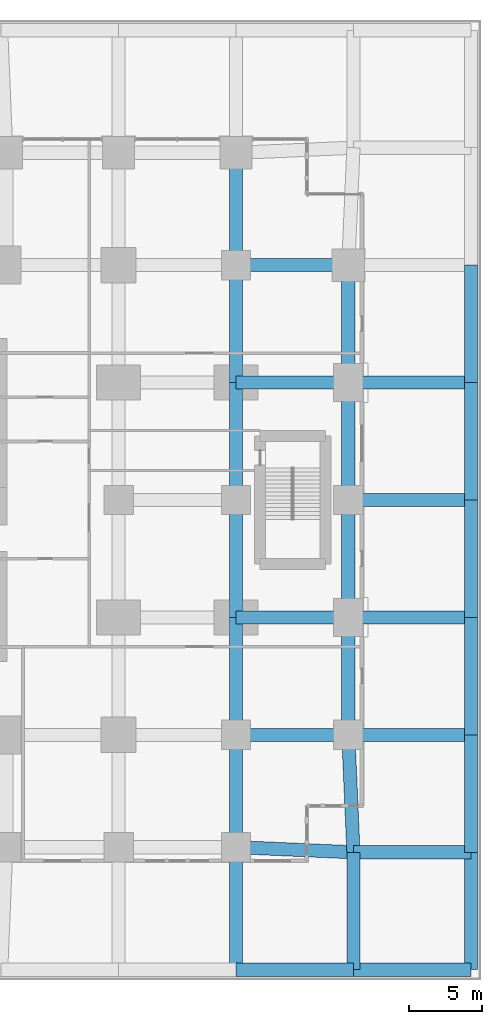
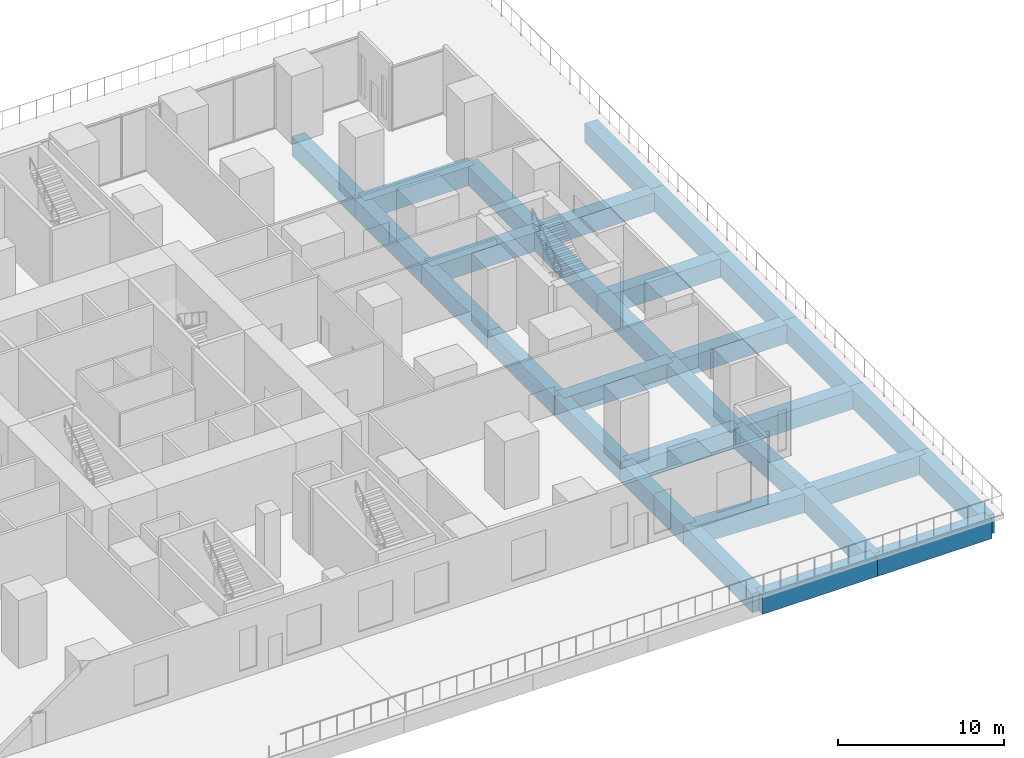
# One storey, part 4 of 16: 31 beams.
"""IFC4 building model written with IfcOpenShell, lengths in metres."""

from ifc_helpers import new_model, si_unit, direction, frame, origin, origin_2d, place, context, subcontext, project, spatial, rectangle, extrude, material, material_profile, profile_set, type_object, element, save


model = new_model("IFC4")

# Units and contexts
model_context = context("Model", 3, precision=1e-05, world=origin(), true_north=direction((0.0, 1.0)))
body_context = subcontext(model_context, "Body", "Model", "MODEL_VIEW")
ifc_project = project(units=[si_unit("LENGTHUNIT", "METRE"), si_unit("AREAUNIT", "SQUARE_METRE"), si_unit("VOLUMEUNIT", "CUBIC_METRE"), si_unit("PLANEANGLEUNIT", "RADIAN"), si_unit("MASSUNIT", "GRAM", prefix="KILO")], contexts=[model_context])

# Site, building, storey
site_placement = place(None, origin())
site = spatial("IfcSite", under=ifc_project, at=site_placement, CompositionType="ELEMENT")
building_placement = place(site_placement, origin())
building = spatial("IfcBuilding", under=site, at=building_placement, Name="Cleftline Residences", CompositionType="ELEMENT")
storey_placement = place(building_placement, frame((0.0, 0.0, 16.0)))
storey = spatial("IfcBuildingStorey", under=building, at=storey_placement, Name="L03", CompositionType="ELEMENT", Elevation=16.0)

# Beams
ifc_material = material(Name="Concrete B45", Category="concrete")
ifc_material_profile = material_profile(ifc_material, rectangle(XDim=0.89990234375, YDim=1.39990234375, at=origin_2d()))
ifc_profile_set = profile_set([ifc_material_profile], Name="Concrete B45")
beam_type = type_object("IfcBeamType", Name="BEAM RC900X1400", PredefinedType="BEAM", material=ifc_profile_set)
for number, where, z_axis, x_axis, name in (
    (1, (58.0, -8.0, -1.0), (1.0, 0.0, 0.0), (0.0, 1.0, 0.0), "Podium beam"),
    (2, (66.0, -8.0, -1.0), (1.0, 0.0, 0.0), (0.0, 1.0, 0.0), "Podium beam"),
):
    element("IfcBeam", number, at=place(storey_placement, frame(where, z_axis=z_axis, x_axis=x_axis)), inside=storey, type_object=beam_type, Name=name, PredefinedType="BEAM", context=body_context, shape_type="SweptSolid", body=[
        extrude(rectangle(XDim=0.89990234375, YDim=1.39990234375, at=origin_2d()), origin(), (0.0, 0.0, 1.0), 8.0),
    ])
beam_1_placement = place(storey_placement, frame((58.0, 0.35009765625, -1.0), z_axis=(0.999043807824, -0.043720361951, 0.0), x_axis=(0.043720361951, 0.999043807824, 0.0)))
element("IfcBeam", 3, at=beam_1_placement, inside=storey, type_object=beam_type, Name="Podium beam", PredefinedType="BEAM", context=body_context, shape_type="SweptSolid", body=[
    extrude(rectangle(XDim=0.89990234375, YDim=1.39990234375, at=origin_2d()), origin(), (0.0, 0.0, 1.0), 8.007568359375),
])
beam_2_placement = place(storey_placement, frame((66.0, 0.0, -1.0), z_axis=(1.0, 0.0, 0.0), x_axis=(0.0, 1.0, 0.0)))
element("IfcBeam", 4, at=beam_2_placement, inside=storey, type_object=beam_type, Name="Podium beam", PredefinedType="BEAM", context=body_context, shape_type="SweptSolid", body=[
    extrude(rectangle(XDim=0.89990234375, YDim=1.39990234375, at=origin_2d()), origin(), (0.0, 0.0, 1.0), 8.0),
])
beam_3_placement = place(storey_placement, frame((58.0, 8.0, -1.0), z_axis=(1.0, 0.0, 0.0), x_axis=(0.0, 1.0, 0.0)))
element("IfcBeam", 5, at=beam_3_placement, inside=storey, type_object=beam_type, Name="Podium beam", PredefinedType="BEAM", context=body_context, shape_type="SweptSolid", body=[
    extrude(rectangle(XDim=0.89990234375, YDim=1.39990234375, at=origin_2d()), origin(), (0.0, 0.0, 1.0), 7.64990234375),
])
beam_4_placement = place(storey_placement, frame((65.64990234375, 8.0, -1.0), z_axis=(1.0, 0.0, 0.0), x_axis=(0.0, 1.0, 0.0)))
element("IfcBeam", 6, at=beam_4_placement, inside=storey, type_object=beam_type, Name="Podium beam", PredefinedType="BEAM", context=body_context, shape_type="SweptSolid", body=[
    extrude(rectangle(XDim=0.89990234375, YDim=1.39990234375, at=origin_2d()), origin(), (0.0, 0.0, 1.0), 8.35009765625),
])
beam_5_placement = place(storey_placement, frame((58.0, 16.0, -1.0), z_axis=(1.0, 0.0, 0.0), x_axis=(0.0, 1.0, 0.0)))
element("IfcBeam", 7, at=beam_5_placement, inside=storey, type_object=beam_type, Name="Podium beam", PredefinedType="BEAM", context=body_context, shape_type="SweptSolid", body=[
    extrude(rectangle(XDim=0.89990234375, YDim=1.39990234375, at=origin_2d()), origin(), (0.0, 0.0, 1.0), 7.64990234375),
])
for number, where, z_axis, x_axis, name in (
    (8, (65.64990234375, 16.0, -1.0), (1.0, 0.0, 0.0), (0.0, 1.0, 0.0), "Podium beam"),
    (9, (65.64990234375, 24.0, -1.0), (1.0, 0.0, 0.0), (0.0, 1.0, 0.0), "Podium beam"),
):
    element("IfcBeam", number, at=place(storey_placement, frame(where, z_axis=z_axis, x_axis=x_axis)), inside=storey, type_object=beam_type, Name=name, PredefinedType="BEAM", context=body_context, shape_type="SweptSolid", body=[
        extrude(rectangle(XDim=0.89990234375, YDim=1.39990234375, at=origin_2d()), origin(), (0.0, 0.0, 1.0), 8.35009765625),
    ])
beam_6_placement = place(storey_placement, frame((58.0, 32.0, -1.0), z_axis=(1.0, 0.0, 0.0), x_axis=(0.0, 1.0, 0.0)))
element("IfcBeam", 10, at=beam_6_placement, inside=storey, type_object=beam_type, Name="Podium beam", PredefinedType="BEAM", context=body_context, shape_type="SweptSolid", body=[
    extrude(rectangle(XDim=0.89990234375, YDim=1.39990234375, at=origin_2d()), origin(), (0.0, 0.0, 1.0), 7.64990234375),
])
beam_7_placement = place(storey_placement, frame((65.64990234375, 32.0, -1.0), z_axis=(1.0, 0.0, 0.0), x_axis=(0.0, 1.0, 0.0)))
element("IfcBeam", 11, at=beam_7_placement, inside=storey, type_object=beam_type, Name="Podium beam", PredefinedType="BEAM", context=body_context, shape_type="SweptSolid", body=[
    extrude(rectangle(XDim=0.89990234375, YDim=1.39990234375, at=origin_2d()), origin(), (0.0, 0.0, 1.0), 8.35009765625),
])
beam_8_placement = place(storey_placement, frame((58.0, 40.0, -1.0), z_axis=(1.0, 0.0, 0.0), x_axis=(0.0, 1.0, 0.0)))
element("IfcBeam", 12, at=beam_8_placement, inside=storey, type_object=beam_type, Name="Podium beam", PredefinedType="BEAM", context=body_context, shape_type="SweptSolid", body=[
    extrude(rectangle(XDim=0.89990234375, YDim=1.39990234375, at=origin_2d()), origin(), (0.0, 0.0, 1.0), 7.64990234375),
])
beam_9_placement = place(storey_placement, frame((58.0, -8.0, -1.0), z_axis=(0.0, 1.0, 0.0), x_axis=(-1.0, 0.0, 0.0)))
element("IfcBeam", 13, at=beam_9_placement, inside=storey, type_object=beam_type, Name="Podium beam", PredefinedType="BEAM", context=body_context, shape_type="SweptSolid", body=[
    extrude(rectangle(XDim=0.89990234375, YDim=1.39990234375, at=origin_2d()), origin(), (0.0, 0.0, 1.0), 8.35009765625),
])
beam_10_placement = place(storey_placement, frame((58.0, 0.35009765625, -1.0), z_axis=(0.0, 1.0, 0.0), x_axis=(-1.0, 0.0, 0.0)))
element("IfcBeam", 14, at=beam_10_placement, inside=storey, type_object=beam_type, Name="Podium beam", PredefinedType="BEAM", context=body_context, shape_type="SweptSolid", body=[
    extrude(rectangle(XDim=0.89990234375, YDim=1.39990234375, at=origin_2d()), origin(), (0.0, 0.0, 1.0), 7.64990234375),
])
for number, where, z_axis, x_axis, name in (
    (15, (58.0, 8.0, -1.0), (0.0, 1.0, 0.0), (-1.0, 0.0, 0.0), "Podium beam"),
    (16, (58.0, 16.0, -1.0), (0.0, 1.0, 0.0), (-1.0, 0.0, 0.0), "Podium beam"),
    (17, (58.0, 24.0, -1.0), (0.0, 1.0, 0.0), (-1.0, 0.0, 0.0), "Podium beam"),
    (18, (58.0, 32.0, -1.0), (0.0, 1.0, 0.0), (-1.0, 0.0, 0.0), "Podium beam"),
):
    element("IfcBeam", number, at=place(storey_placement, frame(where, z_axis=z_axis, x_axis=x_axis)), inside=storey, type_object=beam_type, Name=name, PredefinedType="BEAM", context=body_context, shape_type="SweptSolid", body=[
        extrude(rectangle(XDim=0.89990234375, YDim=1.39990234375, at=origin_2d()), origin(), (0.0, 0.0, 1.0), 8.0),
    ])
beam_11_placement = place(storey_placement, frame((58.0, 40.0, -1.0), z_axis=(0.0, 1.0, 0.0), x_axis=(-1.0, 0.0, 0.0)))
element("IfcBeam", 19, at=beam_11_placement, inside=storey, type_object=beam_type, Name="Podium beam", PredefinedType="BEAM", context=body_context, shape_type="SweptSolid", body=[
    extrude(rectangle(XDim=0.89990234375, YDim=1.39990234375, at=origin_2d()), origin(), (0.0, 0.0, 1.0), 7.64990234375),
])
beam_12_placement = place(storey_placement, frame((66.0, -8.0, -1.0), z_axis=(0.0, 1.0, 0.0), x_axis=(-1.0, 0.0, 0.0)))
element("IfcBeam", 20, at=beam_12_placement, inside=storey, type_object=beam_type, Name="Podium beam", PredefinedType="BEAM", context=body_context, shape_type="SweptSolid", body=[
    extrude(rectangle(XDim=0.89990234375, YDim=1.39990234375, at=origin_2d()), origin(), (0.0, 0.0, 1.0), 8.0),
])
beam_13_placement = place(storey_placement, frame((66.0, 0.0, -1.0), z_axis=(-0.043720361951, 0.999043807824, 0.0), x_axis=(-0.999043807824, -0.043720361951, 0.0)))
element("IfcBeam", 21, at=beam_13_placement, inside=storey, type_object=beam_type, Name="Podium beam", PredefinedType="BEAM", context=body_context, shape_type="SweptSolid", body=[
    extrude(rectangle(XDim=0.89990234375, YDim=1.39990234375, at=origin_2d()), origin(), (0.0, 0.0, 1.0), 8.007568359375),
])
for number, where, z_axis, x_axis, name in (
    (22, (65.64990234375, 8.0, -1.0), (0.0, 1.0, 0.0), (-1.0, 0.0, 0.0), "Podium beam"),
    (23, (65.64990234375, 16.0, -1.0), (0.0, 1.0, 0.0), (-1.0, 0.0, 0.0), "Podium beam"),
    (24, (65.64990234375, 24.0, -1.0), (0.0, 1.0, 0.0), (-1.0, 0.0, 0.0), "Podium beam"),
    (25, (65.64990234375, 32.0, -1.0), (0.0, 1.0, 0.0), (-1.0, 0.0, 0.0), "Podium beam"),
    (26, (74.0, -8.0, -1.0), (0.0, 1.0, 0.0), (-1.0, 0.0, 0.0), "Podium beam"),
    (27, (74.0, 0.0, -1.0), (0.0, 1.0, 0.0), (-1.0, 0.0, 0.0), "Podium beam"),
    (28, (74.0, 8.0, -1.0), (0.0, 1.0, 0.0), (-1.0, 0.0, 0.0), "Podium beam"),
    (29, (74.0, 16.0, -1.0), (0.0, 1.0, 0.0), (-1.0, 0.0, 0.0), "Podium beam"),
    (30, (74.0, 24.0, -1.0), (0.0, 1.0, 0.0), (-1.0, 0.0, 0.0), "Podium beam"),
    (31, (74.0, 32.0, -1.0), (0.0, 1.0, 0.0), (-1.0, 0.0, 0.0), "Podium beam"),
):
    element("IfcBeam", number, at=place(storey_placement, frame(where, z_axis=z_axis, x_axis=x_axis)), inside=storey, type_object=beam_type, Name=name, PredefinedType="BEAM", context=body_context, shape_type="SweptSolid", body=[
        extrude(rectangle(XDim=0.89990234375, YDim=1.39990234375, at=origin_2d()), origin(), (0.0, 0.0, 1.0), 8.0),
    ])

save(model, "model.ifc")
